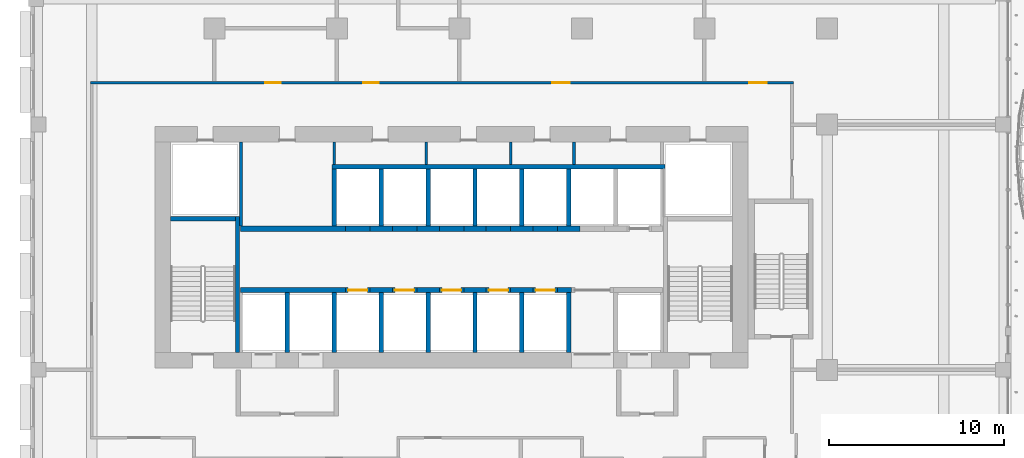
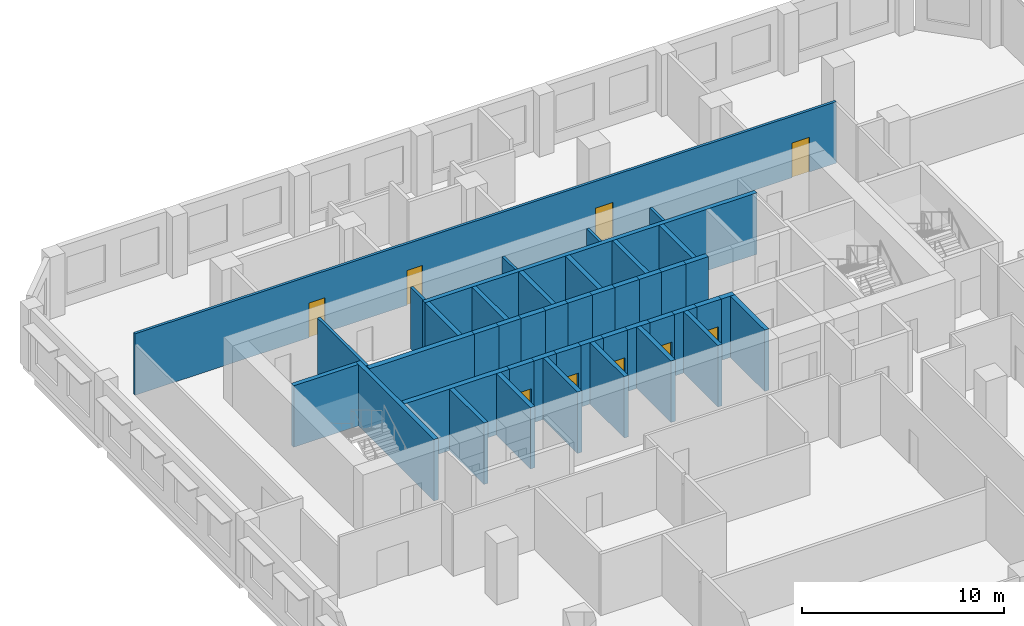
# One storey, part 13 of 26: 44 walls, 9 doors, 9 openings.
"""IFC4 building model written with IfcOpenShell, lengths in metres."""

from ifc_helpers import new_model, si_unit, direction, frame, frame_2d, origin, place, context, subcontext, project, spatial, rectangle, extrude, source, transform, mapped, material, layer, layer_set, type_object, element, fill, save


model = new_model("IFC4")

# Units and contexts
model_context = context("Model", 3, precision=1e-05, world=origin(), true_north=direction((0.0, 1.0)))
body_context = subcontext(model_context, "Body", "Model", "MODEL_VIEW")
ifc_project = project(units=[si_unit("LENGTHUNIT", "METRE"), si_unit("AREAUNIT", "SQUARE_METRE"), si_unit("VOLUMEUNIT", "CUBIC_METRE"), si_unit("PLANEANGLEUNIT", "RADIAN"), si_unit("MASSUNIT", "GRAM", prefix="KILO")], contexts=[model_context])

# Site, building, storey
site_placement = place(None, origin())
site = spatial("IfcSite", under=ifc_project, at=site_placement, CompositionType="ELEMENT")
building_placement = place(site_placement, origin())
building = spatial("IfcBuilding", under=site, at=building_placement, Name="Kilnfold Tower and Market Hall", CompositionType="ELEMENT")
storey_placement = place(building_placement, frame((0.0, 0.0, 108.60009765625)))
storey = spatial("IfcBuildingStorey", under=building, at=storey_placement, Name="L25", CompositionType="ELEMENT", Elevation=108.60009765625)

# Wall, openings, doors
ifc_material_1 = material(Name="Gypsum board on steel studs", Category="steel")
ifc_layer_1 = layer(ifc_material_1, 0.14990234375)
ifc_layer_set_1 = layer_set([ifc_layer_1], Name="Gypsum board on steel studs")
wall_type_1 = type_object("IfcWallType", Name="WALL CORRIDOR 150", PredefinedType="PARTITIONING", material=ifc_layer_set_1)
wall_1_placement = place(storey_placement, frame((-19.574951171875, 24.39990234375, 0.0), z_axis=(0.0, 0.0, 1.0), x_axis=(1.0, 0.0, 0.0)))
wall_1 = element("IfcWall", 1, at=wall_1_placement, inside=storey, type_object=wall_type_1, Name="Partition LY16.35", PredefinedType="PARTITIONING", context=body_context, shape_type="SweptSolid", body=[
    extrude(rectangle(XDim=40.14990234375, YDim=0.14990234375, at=frame_2d((20.074951171875, 0.0))), origin(), (0.0, 0.0, 1.0), 3.719970703125),
])
opening_1_placement = place(wall_1_placement, frame((9.97412109375, 0.0, 0.0)))
opening_1 = element("IfcOpeningElement", 2, at=opening_1_placement, cuts=wall_1, Name="Opening D2", PredefinedType="OPENING", context=body_context, shape_type="SweptSolid", body=[
    extrude(rectangle(XDim=0.89990234375, YDim=2.10009765625, at=frame_2d((0.449951171875, 1.050048828125))), frame((0.0, 0.0849609375, 0.0), z_axis=(0.0, -1.0, 0.0), x_axis=(1.0, 0.0, 0.0)), (0.0, 0.0, 1.0), 0.169921875),
])
opening_2_placement = place(wall_1_placement, frame((15.570068359375, 0.0, 0.0)))
opening_2 = element("IfcOpeningElement", 3, at=opening_2_placement, cuts=wall_1, Name="Opening D3", PredefinedType="OPENING", context=body_context, shape_type="SweptSolid", body=[
    extrude(rectangle(XDim=0.89990234375, YDim=2.10009765625, at=frame_2d((0.449951171875, 1.050048828125))), frame((0.0, 0.0849609375, 0.0), z_axis=(0.0, -1.0, 0.0), x_axis=(1.0, 0.0, 0.0)), (0.0, 0.0, 1.0), 0.169921875),
])
opening_3_placement = place(wall_1_placement, frame((26.373046875, 0.0, 0.0)))
opening_3 = element("IfcOpeningElement", 4, at=opening_3_placement, cuts=wall_1, Name="Opening D1", PredefinedType="OPENING", context=body_context, shape_type="SweptSolid", body=[
    extrude(rectangle(XDim=1.0, YDim=2.10009765625, at=frame_2d((0.5, 1.050048828125))), frame((0.0, 0.0849609375, 0.0), z_axis=(0.0, -1.0, 0.0), x_axis=(1.0, 0.0, 0.0)), (0.0, 0.0, 1.0), 0.169921875),
])
opening_4_placement = place(wall_1_placement, frame((37.618896484375, 0.0, 0.0)))
opening_4 = element("IfcOpeningElement", 5, at=opening_4_placement, cuts=wall_1, Name="Opening D1", PredefinedType="OPENING", context=body_context, shape_type="SweptSolid", body=[
    extrude(rectangle(XDim=1.0, YDim=2.10009765625, at=frame_2d((0.5, 1.050048828125))), frame((0.0, 0.0849609375, 0.0), z_axis=(0.0, -1.0, 0.0), x_axis=(1.0, 0.0, 0.0)), (0.0, 0.0, 1.0), 0.169921875),
])
ifc_material_2 = material(Name="Timber veneer door leaf in steel frame", Category="steel")
door_type_1 = type_object("IfcDoorType", Name="DOOR ENTRY 1000 X2100", OperationType="NOTDEFINED", PredefinedType="DOOR", material=ifc_material_2)
door_1_placement = place(opening_3_placement, origin())
door_1 = element("IfcDoor", 6, at=door_1_placement, inside=storey, type_object=door_type_1, Name="Door D1", OperationType="SINGLE_SWING_RIGHT", OverallHeight=2.10009765625, OverallWidth=1.0, PredefinedType="DOOR", context=body_context, shape_type="SweptSolid", body=[
    extrude(rectangle(XDim=1.0, YDim=2.10009765625, at=frame_2d((0.5, 1.050048828125))), frame((0.0, 0.02490234375, 0.0), z_axis=(0.0, -1.0, 0.0), x_axis=(1.0, 0.0, 0.0)), (0.0, 0.0, 1.0), 0.050048828125),
])
fill(opening_3, door_1)
door_2_placement = place(opening_4_placement, origin())
door_2 = element("IfcDoor", 7, at=door_2_placement, inside=storey, type_object=door_type_1, Name="Door D1", OperationType="SINGLE_SWING_RIGHT", OverallHeight=2.10009765625, OverallWidth=1.0, PredefinedType="DOOR", context=body_context, shape_type="SweptSolid", body=[
    extrude(rectangle(XDim=1.0, YDim=2.10009765625, at=frame_2d((0.5, 1.050048828125))), frame((0.0, 0.02490234375, 0.0), z_axis=(0.0, -1.0, 0.0), x_axis=(1.0, 0.0, 0.0)), (0.0, 0.0, 1.0), 0.050048828125),
])
fill(opening_4, door_2)
ifc_material_3 = material(Name="Timber veneer door leaf in steel frame", Category="steel")
door_type_2 = type_object("IfcDoorType", Name="DOOR ROOM 900 X2100", OperationType="NOTDEFINED", PredefinedType="DOOR", material=ifc_material_3)
door_3_placement = place(opening_1_placement, origin())
door_3 = element("IfcDoor", 8, at=door_3_placement, inside=storey, type_object=door_type_2, Name="Door D2", OperationType="SINGLE_SWING_LEFT", OverallHeight=2.10009765625, OverallWidth=0.89990234375, PredefinedType="DOOR", context=body_context, shape_type="SweptSolid", body=[
    extrude(rectangle(XDim=0.89990234375, YDim=2.10009765625, at=frame_2d((0.449951171875, 1.050048828125))), frame((0.0, 0.02490234375, 0.0), z_axis=(0.0, -1.0, 0.0), x_axis=(1.0, 0.0, 0.0)), (0.0, 0.0, 1.0), 0.050048828125),
])
fill(opening_1, door_3)
ifc_material_4 = material(Name="Timber veneer door leaf in steel frame", Category="steel")
door_type_3 = type_object("IfcDoorType", Name="DOOR WC 900 X2100", OperationType="NOTDEFINED", PredefinedType="DOOR", material=ifc_material_4)
door_4_placement = place(opening_2_placement, origin())
door_4 = element("IfcDoor", 9, at=door_4_placement, inside=storey, type_object=door_type_3, Name="Door D3", OperationType="SINGLE_SWING_LEFT", OverallHeight=2.10009765625, OverallWidth=0.89990234375, PredefinedType="DOOR", context=body_context, shape_type="SweptSolid", body=[
    extrude(rectangle(XDim=0.89990234375, YDim=2.10009765625, at=frame_2d((0.449951171875, 1.050048828125))), frame((0.0, 0.02490234375, 0.0), z_axis=(0.0, -1.0, 0.0), x_axis=(1.0, 0.0, 0.0)), (0.0, 0.0, 1.0), 0.050048828125),
])
fill(opening_2, door_4)

# Walls
ifc_material_5 = material(Name="Concrete C70", Category="concrete")
ifc_layer_2 = layer(ifc_material_5, 0.25)
ifc_layer_set_2 = layer_set([ifc_layer_2], Name="Concrete C70")
wall_type_2 = type_object("IfcWallType", Name="CORE WALL 250 C70", PredefinedType="SHEAR", material=ifc_layer_set_2)
shared_shape_1 = source(origin(), body_context, "Body", "SweptSolid", [
    extrude(rectangle(XDim=7.75, YDim=0.25, at=frame_2d((3.875, 0.0))), origin(), (0.0, 0.0, 1.0), 3.719970703125),
])
wall_2_placement = place(storey_placement, frame((-11.175048828125, 9.0, 0.0), z_axis=(0.0, 0.0, 1.0), x_axis=(0.0, 1.0, 0.0)))
element("IfcWall", 10, at=wall_2_placement, inside=storey, type_object=wall_type_2, Name="Stair enclosure ST1", PredefinedType="SHEAR", context=body_context, shape_type="MappedRepresentation", body=[
    mapped(shared_shape_1, transform((0.0, 0.0, 0.0))),
])
shared_shape_2 = source(origin(), body_context, "Body", "SweptSolid", [
    extrude(rectangle(XDim=3.699951171875, YDim=0.25, at=frame_2d((1.85009765625, 0.0))), origin(), (0.0, 0.0, 1.0), 3.719970703125),
])
wall_3_placement = place(storey_placement, frame((-15.0, 16.625, 0.0), z_axis=(0.0, 0.0, 1.0), x_axis=(1.0, 0.0, 0.0)))
element("IfcWall", 11, at=wall_3_placement, inside=storey, type_object=wall_type_2, Name="Stair enclosure ST1", PredefinedType="SHEAR", context=body_context, shape_type="MappedRepresentation", body=[
    mapped(shared_shape_2, transform((0.0, 0.0, 0.0))),
])
ifc_material_6 = material(Name="Concrete C70", Category="concrete")
ifc_layer_3 = layer(ifc_material_6, 0.300048828125)
ifc_layer_set_3 = layer_set([ifc_layer_3], Name="Concrete C70")
wall_type_3 = type_object("IfcWallType", Name="CORE WALL 300 C70", PredefinedType="SHEAR", material=ifc_layer_set_3)
shared_shape_3 = source(origin(), body_context, "Body", "SweptSolid", [
    extrude(rectangle(XDim=6.0, YDim=0.300048828125, at=frame_2d((3.0, 0.0))), origin(), (0.0, 0.0, 1.0), 3.719970703125),
])
for number, where, z_axis, x_axis, name in (
    (12, (-11.010009765625, 12.550048828125, 0.0), (0.0, 0.0, 1.0), (1.0, 0.0, 0.0), "Core spine wall"),
    (13, (-11.010009765625, 16.050048828125, 0.0), (0.0, 0.0, 1.0), (1.0, 0.0, 0.0), "Core spine wall"),
):
    element("IfcWall", number, at=place(storey_placement, frame(where, z_axis=z_axis, x_axis=x_axis)), inside=storey, type_object=wall_type_3, Name=name, PredefinedType="SHEAR", context=body_context, shape_type="MappedRepresentation", body=[
        mapped(shared_shape_3, transform((0.0, 0.0, 0.0))),
    ])
shared_shape_4 = source(origin(), body_context, "Body", "SweptSolid", [
    extrude(rectangle(XDim=1.280029296875, YDim=0.300048828125, at=frame_2d((0.64013671875, 0.0))), origin(), (0.0, 0.0, 1.0), 3.719970703125),
])
for number, where, z_axis, x_axis, name in (
    (14, (-3.610107421875, 12.550048828125, 0.0), (0.0, 0.0, 1.0), (1.0, 0.0, 0.0), "Core spine wall"),
    (15, (-0.929931640625, 12.550048828125, 0.0), (0.0, 0.0, 1.0), (1.0, 0.0, 0.0), "Core spine wall"),
    (16, (1.75, 12.550048828125, 0.0), (0.0, 0.0, 1.0), (1.0, 0.0, 0.0), "Core spine wall"),
    (17, (4.429931640625, 12.550048828125, 0.0), (0.0, 0.0, 1.0), (1.0, 0.0, 0.0), "Core spine wall"),
    (18, (-3.610107421875, 16.050048828125, 0.0), (0.0, 0.0, 1.0), (1.0, 0.0, 0.0), "Core spine wall"),
    (19, (-0.929931640625, 16.050048828125, 0.0), (0.0, 0.0, 1.0), (1.0, 0.0, 0.0), "Core spine wall"),
    (20, (1.75, 16.050048828125, 0.0), (0.0, 0.0, 1.0), (1.0, 0.0, 0.0), "Core spine wall"),
    (21, (4.429931640625, 16.050048828125, 0.0), (0.0, 0.0, 1.0), (1.0, 0.0, 0.0), "Core spine wall"),
):
    element("IfcWall", number, at=place(storey_placement, frame(where, z_axis=z_axis, x_axis=x_axis)), inside=storey, type_object=wall_type_3, Name=name, PredefinedType="SHEAR", context=body_context, shape_type="MappedRepresentation", body=[
        mapped(shared_shape_4, transform((0.0, 0.0, 0.0))),
    ])
shared_shape_5 = source(origin(), body_context, "Body", "SweptSolid", [
    extrude(rectangle(XDim=0.77978515625, YDim=0.300048828125, at=frame_2d((0.389892578125, 0.0))), origin(), (0.0, 0.0, 1.0), 3.719970703125),
])
wall_4_placement = place(storey_placement, frame((7.110107421875, 12.550048828125, 0.0), z_axis=(0.0, 0.0, 1.0), x_axis=(1.0, 0.0, 0.0)))
element("IfcWall", 22, at=wall_4_placement, inside=storey, type_object=wall_type_3, Name="Core spine wall", PredefinedType="SHEAR", context=body_context, shape_type="MappedRepresentation", body=[
    mapped(shared_shape_5, transform((0.0, 0.0, 0.0))),
])
shared_shape_6 = source(origin(), body_context, "Body", "SweptSolid", [
    extrude(rectangle(XDim=1.27978515625, YDim=0.300048828125, at=frame_2d((0.639892578125, 0.0))), origin(), (0.0, 0.0, 1.0), 3.719970703125),
])
wall_5_placement = place(storey_placement, frame((7.110107421875, 16.050048828125, 0.0), z_axis=(0.0, 0.0, 1.0), x_axis=(1.0, 0.0, 0.0)))
element("IfcWall", 23, at=wall_5_placement, inside=storey, type_object=wall_type_3, Name="Core spine wall", PredefinedType="SHEAR", context=body_context, shape_type="MappedRepresentation", body=[
    mapped(shared_shape_6, transform((0.0, 0.0, 0.0))),
])

# Wall, opening, door
ifc_material_7 = material(Name="Gypsum shaft wall system")
ifc_layer_4 = layer(ifc_material_7, 0.300048828125)
ifc_layer_set_4 = layer_set([ifc_layer_4], Name="Gypsum shaft wall system")
wall_type_4 = type_object("IfcWallType", Name="SHAFT WALL 300", PredefinedType="PARTITIONING", material=ifc_layer_set_4)
shared_shape_7 = source(origin(), body_context, "Body", "SweptSolid", [
    extrude(rectangle(XDim=1.39990234375, YDim=0.300048828125, at=frame_2d((0.699951171875, 0.0))), origin(), (0.0, 0.0, 1.0), 3.719970703125),
])
wall_6_placement = place(storey_placement, frame((-5.010009765625, 12.550048828125, 0.0), z_axis=(0.0, 0.0, 1.0), x_axis=(1.0, 0.0, 0.0)))
wall_6 = element("IfcWall", 24, at=wall_6_placement, inside=storey, type_object=wall_type_4, Name="Lift shaft front wall", PredefinedType="PARTITIONING", context=body_context, shape_type="MappedRepresentation", body=[
    mapped(shared_shape_7, transform((0.0, 0.0, 0.0))),
])
opening_5_placement = place(wall_6_placement, frame((0.14990234375, 0.0, 0.0)))
opening_5 = element("IfcOpeningElement", 25, at=opening_5_placement, cuts=wall_6, Name="Opening LD2", PredefinedType="OPENING", context=body_context, shape_type="SweptSolid", body=[
    extrude(rectangle(XDim=1.10009765625, YDim=2.10009765625, at=frame_2d((0.550048828125, 1.050048828125))), frame((0.0, 0.16015625, 0.0), z_axis=(0.0, -1.0, 0.0), x_axis=(1.0, 0.0, 0.0)), (0.0, 0.0, 1.0), 0.320068359375),
])
ifc_material_8 = material(Name="Steel door set with fire-resisting leaf", Category="steel")
door_type_4 = type_object("IfcDoorType", Name="LANDING DOOR 1100X2100", OperationType="NOTDEFINED", PredefinedType="DOOR", material=ifc_material_8)
door_5_placement = place(opening_5_placement, origin())
door_5 = element("IfcDoor", 26, at=door_5_placement, inside=storey, type_object=door_type_4, Name="Landing door LR1", OperationType="DOUBLE_DOOR_SLIDING", OverallHeight=2.10009765625, OverallWidth=1.10009765625, PredefinedType="DOOR", context=body_context, shape_type="SweptSolid", body=[
    extrude(rectangle(XDim=1.10009765625, YDim=2.10009765625, at=frame_2d((0.550048828125, 1.050048828125))), frame((0.0, 0.02490234375, 0.0), z_axis=(0.0, -1.0, 0.0), x_axis=(1.0, 0.0, 0.0)), (0.0, 0.0, 1.0), 0.050048828125),
])
fill(opening_5, door_5)

wall_7_placement = place(storey_placement, frame((0.35009765625, 12.550048828125, 0.0), z_axis=(0.0, 0.0, 1.0), x_axis=(1.0, 0.0, 0.0)))
wall_7 = element("IfcWall", 27, at=wall_7_placement, inside=storey, type_object=wall_type_4, Name="Lift shaft front wall", PredefinedType="PARTITIONING", context=body_context, shape_type="MappedRepresentation", body=[
    mapped(shared_shape_7, transform((0.0, 0.0, 0.0))),
])
opening_6_placement = place(wall_7_placement, frame((0.14990234375, 0.0, 0.0)))
opening_6 = element("IfcOpeningElement", 28, at=opening_6_placement, cuts=wall_7, Name="Opening LD2", PredefinedType="OPENING", context=body_context, shape_type="SweptSolid", body=[
    extrude(rectangle(XDim=1.10009765625, YDim=2.10009765625, at=frame_2d((0.550048828125, 1.050048828125))), frame((0.0, 0.16015625, 0.0), z_axis=(0.0, -1.0, 0.0), x_axis=(1.0, 0.0, 0.0)), (0.0, 0.0, 1.0), 0.320068359375),
])
door_6_placement = place(opening_6_placement, origin())
door_6 = element("IfcDoor", 29, at=door_6_placement, inside=storey, type_object=door_type_4, Name="Landing door LR3", OperationType="DOUBLE_DOOR_SLIDING", OverallHeight=2.10009765625, OverallWidth=1.10009765625, PredefinedType="DOOR", context=body_context, shape_type="SweptSolid", body=[
    extrude(rectangle(XDim=1.10009765625, YDim=2.10009765625, at=frame_2d((0.550048828125, 1.050048828125))), frame((0.0, 0.02490234375, 0.0), z_axis=(0.0, -1.0, 0.0), x_axis=(1.0, 0.0, 0.0)), (0.0, 0.0, 1.0), 0.050048828125),
])
fill(opening_6, door_6)

wall_8_placement = place(storey_placement, frame((3.030029296875, 12.550048828125, 0.0), z_axis=(0.0, 0.0, 1.0), x_axis=(1.0, 0.0, 0.0)))
wall_8 = element("IfcWall", 30, at=wall_8_placement, inside=storey, type_object=wall_type_4, Name="Lift shaft front wall", PredefinedType="PARTITIONING", context=body_context, shape_type="MappedRepresentation", body=[
    mapped(shared_shape_7, transform((0.0, 0.0, 0.0))),
])
opening_7_placement = place(wall_8_placement, frame((0.14990234375, 0.0, 0.0)))
opening_7 = element("IfcOpeningElement", 31, at=opening_7_placement, cuts=wall_8, Name="Opening LD2", PredefinedType="OPENING", context=body_context, shape_type="SweptSolid", body=[
    extrude(rectangle(XDim=1.10009765625, YDim=2.10009765625, at=frame_2d((0.550048828125, 1.050048828125))), frame((0.0, 0.16015625, 0.0), z_axis=(0.0, -1.0, 0.0), x_axis=(1.0, 0.0, 0.0)), (0.0, 0.0, 1.0), 0.320068359375),
])
door_7_placement = place(opening_7_placement, origin())
door_7 = element("IfcDoor", 32, at=door_7_placement, inside=storey, type_object=door_type_4, Name="Landing door LR4", OperationType="DOUBLE_DOOR_SLIDING", OverallHeight=2.10009765625, OverallWidth=1.10009765625, PredefinedType="DOOR", context=body_context, shape_type="SweptSolid", body=[
    extrude(rectangle(XDim=1.10009765625, YDim=2.10009765625, at=frame_2d((0.550048828125, 1.050048828125))), frame((0.0, 0.02490234375, 0.0), z_axis=(0.0, -1.0, 0.0), x_axis=(1.0, 0.0, 0.0)), (0.0, 0.0, 1.0), 0.050048828125),
])
fill(opening_7, door_7)

# Walls
for number, where, z_axis, x_axis, name in (
    (33, (-5.010009765625, 16.050048828125, 0.0), (0.0, 0.0, 1.0), (1.0, 0.0, 0.0), "Lift shaft front wall"),
    (34, (0.35009765625, 16.050048828125, 0.0), (0.0, 0.0, 1.0), (1.0, 0.0, 0.0), "Lift shaft front wall"),
    (35, (3.030029296875, 16.050048828125, 0.0), (0.0, 0.0, 1.0), (1.0, 0.0, 0.0), "Lift shaft front wall"),
):
    element("IfcWall", number, at=place(storey_placement, frame(where, z_axis=z_axis, x_axis=x_axis)), inside=storey, type_object=wall_type_4, Name=name, PredefinedType="PARTITIONING", context=body_context, shape_type="MappedRepresentation", body=[
        mapped(shared_shape_7, transform((0.0, 0.0, 0.0))),
    ])

# Wall, opening, door
shared_shape_8 = source(origin(), body_context, "Body", "SweptSolid", [
    extrude(rectangle(XDim=1.400146484375, YDim=0.300048828125, at=frame_2d((0.7001953125, 0.0))), origin(), (0.0, 0.0, 1.0), 3.719970703125),
])
wall_9_placement = place(storey_placement, frame((-2.330078125, 12.550048828125, 0.0), z_axis=(0.0, 0.0, 1.0), x_axis=(1.0, 0.0, 0.0)))
wall_9 = element("IfcWall", 36, at=wall_9_placement, inside=storey, type_object=wall_type_4, Name="Lift shaft front wall", PredefinedType="PARTITIONING", context=body_context, shape_type="MappedRepresentation", body=[
    mapped(shared_shape_8, transform((0.0, 0.0, 0.0))),
])
opening_8_placement = place(wall_9_placement, frame((0.14990234375, 0.0, 0.0)))
opening_8 = element("IfcOpeningElement", 37, at=opening_8_placement, cuts=wall_9, Name="Opening LD2", PredefinedType="OPENING", context=body_context, shape_type="SweptSolid", body=[
    extrude(rectangle(XDim=1.10009765625, YDim=2.10009765625, at=frame_2d((0.550048828125, 1.050048828125))), frame((0.0, 0.16015625, 0.0), z_axis=(0.0, -1.0, 0.0), x_axis=(1.0, 0.0, 0.0)), (0.0, 0.0, 1.0), 0.320068359375),
])
door_8_placement = place(opening_8_placement, origin())
door_8 = element("IfcDoor", 38, at=door_8_placement, inside=storey, type_object=door_type_4, Name="Landing door LR2", OperationType="DOUBLE_DOOR_SLIDING", OverallHeight=2.10009765625, OverallWidth=1.10009765625, PredefinedType="DOOR", context=body_context, shape_type="SweptSolid", body=[
    extrude(rectangle(XDim=1.10009765625, YDim=2.10009765625, at=frame_2d((0.550048828125, 1.050048828125))), frame((0.0, 0.02490234375, 0.0), z_axis=(0.0, -1.0, 0.0), x_axis=(1.0, 0.0, 0.0)), (0.0, 0.0, 1.0), 0.050048828125),
])
fill(opening_8, door_8)

wall_10_placement = place(storey_placement, frame((5.7099609375, 12.550048828125, 0.0), z_axis=(0.0, 0.0, 1.0), x_axis=(1.0, 0.0, 0.0)))
wall_10 = element("IfcWall", 39, at=wall_10_placement, inside=storey, type_object=wall_type_4, Name="Lift shaft front wall", PredefinedType="PARTITIONING", context=body_context, shape_type="MappedRepresentation", body=[
    mapped(shared_shape_8, transform((0.0, 0.0, 0.0))),
])
opening_9_placement = place(wall_10_placement, frame((0.14990234375, 0.0, 0.0)))
opening_9 = element("IfcOpeningElement", 40, at=opening_9_placement, cuts=wall_10, Name="Opening LD2", PredefinedType="OPENING", context=body_context, shape_type="SweptSolid", body=[
    extrude(rectangle(XDim=1.10009765625, YDim=2.10009765625, at=frame_2d((0.550048828125, 1.050048828125))), frame((0.0, 0.16015625, 0.0), z_axis=(0.0, -1.0, 0.0), x_axis=(1.0, 0.0, 0.0)), (0.0, 0.0, 1.0), 0.320068359375),
])
door_9_placement = place(opening_9_placement, origin())
door_9 = element("IfcDoor", 41, at=door_9_placement, inside=storey, type_object=door_type_4, Name="Landing door LR5", OperationType="DOUBLE_DOOR_SLIDING", OverallHeight=2.10009765625, OverallWidth=1.10009765625, PredefinedType="DOOR", context=body_context, shape_type="SweptSolid", body=[
    extrude(rectangle(XDim=1.10009765625, YDim=2.10009765625, at=frame_2d((0.550048828125, 1.050048828125))), frame((0.0, 0.02490234375, 0.0), z_axis=(0.0, -1.0, 0.0), x_axis=(1.0, 0.0, 0.0)), (0.0, 0.0, 1.0), 0.050048828125),
])
fill(opening_9, door_9)

# Walls
for number, where, z_axis, x_axis, name in (
    (42, (-2.330078125, 16.050048828125, 0.0), (0.0, 0.0, 1.0), (1.0, 0.0, 0.0), "Lift shaft front wall"),
    (43, (5.7099609375, 16.050048828125, 0.0), (0.0, 0.0, 1.0), (1.0, 0.0, 0.0), "Lift shaft front wall"),
):
    element("IfcWall", number, at=place(storey_placement, frame(where, z_axis=z_axis, x_axis=x_axis)), inside=storey, type_object=wall_type_4, Name=name, PredefinedType="PARTITIONING", context=body_context, shape_type="MappedRepresentation", body=[
        mapped(shared_shape_8, transform((0.0, 0.0, 0.0))),
    ])
ifc_material_9 = material(Name="Gypsum shaft wall system")
ifc_layer_5 = layer(ifc_material_9, 0.25)
ifc_layer_set_5 = layer_set([ifc_layer_5], Name="Gypsum shaft wall system")
wall_type_5 = type_object("IfcWallType", Name="SHAFT WALL 250", PredefinedType="PARTITIONING", material=ifc_layer_set_5)
shared_shape_9 = source(origin(), body_context, "Body", "SweptSolid", [
    extrude(rectangle(XDim=3.275146484375, YDim=0.25, at=frame_2d((1.6376953125, 0.0))), origin(), (0.0, 0.0, 1.0), 3.719970703125),
])
for number, where, z_axis, x_axis, name in (
    (44, (2.389892578125, 16.199951171875, 0.0), (0.0, 0.0, 1.0), (0.0, 1.0, 0.0), "Lift shaft wall"),
    (45, (5.070068359375, 16.199951171875, 0.0), (0.0, 0.0, 1.0), (0.0, 1.0, 0.0), "Lift shaft wall"),
    (46, (7.75, 16.199951171875, 0.0), (0.0, 0.0, 1.0), (0.0, 1.0, 0.0), "Lift shaft wall"),
    (47, (-0.2900390625, 16.199951171875, 0.0), (0.0, 0.0, 1.0), (0.0, 1.0, 0.0), "Lift shaft wall"),
    (48, (-2.969970703125, 16.199951171875, 0.0), (0.0, 0.0, 1.0), (0.0, 1.0, 0.0), "Lift shaft wall"),
    (49, (-5.64990234375, 16.199951171875, 0.0), (0.0, 0.0, 1.0), (0.0, 1.0, 0.0), "Lift shaft wall"),
):
    element("IfcWall", number, at=place(storey_placement, frame(where, z_axis=z_axis, x_axis=x_axis)), inside=storey, type_object=wall_type_5, Name=name, PredefinedType="PARTITIONING", context=body_context, shape_type="MappedRepresentation", body=[
        mapped(shared_shape_9, transform((0.0, 0.0, 0.0))),
    ])
shared_shape_10 = source(origin(), body_context, "Body", "SweptSolid", [
    extrude(rectangle(XDim=3.39990234375, YDim=0.25, at=frame_2d((1.699951171875, 0.0))), origin(), (0.0, 0.0, 1.0), 3.719970703125),
])
for number, where, z_axis, x_axis, name in (
    (50, (2.389892578125, 9.0, 0.0), (0.0, 0.0, 1.0), (0.0, 1.0, 0.0), "Lift shaft wall"),
    (51, (5.070068359375, 9.0, 0.0), (0.0, 0.0, 1.0), (0.0, 1.0, 0.0), "Lift shaft wall"),
    (52, (7.75, 9.0, 0.0), (0.0, 0.0, 1.0), (0.0, 1.0, 0.0), "Lift shaft wall"),
    (53, (-0.2900390625, 9.0, 0.0), (0.0, 0.0, 1.0), (0.0, 1.0, 0.0), "Lift shaft wall"),
    (54, (-2.969970703125, 9.0, 0.0), (0.0, 0.0, 1.0), (0.0, 1.0, 0.0), "Lift shaft wall"),
    (55, (-5.64990234375, 9.0, 0.0), (0.0, 0.0, 1.0), (0.0, 1.0, 0.0), "Lift shaft wall"),
    (56, (-8.330078125, 9.0, 0.0), (0.0, 0.0, 1.0), (0.0, 1.0, 0.0), "Lift shaft wall"),
):
    element("IfcWall", number, at=place(storey_placement, frame(where, z_axis=z_axis, x_axis=x_axis)), inside=storey, type_object=wall_type_5, Name=name, PredefinedType="PARTITIONING", context=body_context, shape_type="MappedRepresentation", body=[
        mapped(shared_shape_10, transform((0.0, 0.0, 0.0))),
    ])
ifc_material_10 = material(Name="Gypsum shaft wall system")
ifc_layer_6 = layer(ifc_material_10, 0.14990234375)
ifc_layer_set_6 = layer_set([ifc_layer_6], Name="Gypsum shaft wall system")
wall_type_6 = type_object("IfcWallType", Name="ROOM WALL 150", PredefinedType="PARTITIONING", material=ifc_layer_set_6)
shared_shape_11 = source(origin(), body_context, "Body", "SweptSolid", [
    extrude(rectangle(XDim=1.27490234375, YDim=0.14990234375, at=frame_2d((0.637451171875, 0.0))), origin(), (0.0, 0.0, 1.0), 3.719970703125),
])
for number, where, z_axis, x_axis, name in (
    (57, (-5.64990234375, 19.72509765625, 0.0), (0.0, 0.0, 1.0), (0.0, 1.0, 0.0), "Core room wall"),
    (58, (-0.397216796875, 19.72509765625, 0.0), (0.0, 0.0, 1.0), (0.0, 1.0, 0.0), "Core room wall"),
    (59, (4.4267578125, 19.72509765625, 0.0), (0.0, 0.0, 1.0), (0.0, 1.0, 0.0), "Core room wall"),
    (60, (8.044921875, 19.72509765625, 0.0), (0.0, 0.0, 1.0), (0.0, 1.0, 0.0), "Core room wall"),
):
    element("IfcWall", number, at=place(storey_placement, frame(where, z_axis=z_axis, x_axis=x_axis)), inside=storey, type_object=wall_type_6, Name=name, PredefinedType="PARTITIONING", context=body_context, shape_type="MappedRepresentation", body=[
        mapped(shared_shape_11, transform((0.0, 0.0, 0.0))),
    ])
shared_shape_12 = source(origin(), body_context, "Body", "SweptSolid", [
    extrude(rectangle(XDim=19.010009765625, YDim=0.25, at=frame_2d((9.5048828125, 0.0))), origin(), (0.0, 0.0, 1.0), 3.719970703125),
])
wall_11_placement = place(storey_placement, frame((-5.77490234375, 19.60009765625, 0.0), z_axis=(0.0, 0.0, 1.0), x_axis=(1.0, 0.0, 0.0)))
element("IfcWall", 61, at=wall_11_placement, inside=storey, type_object=wall_type_5, Name="Lift shaft wall", PredefinedType="PARTITIONING", context=body_context, shape_type="MappedRepresentation", body=[
    mapped(shared_shape_12, transform((0.0, 0.0, 0.0))),
])
ifc_material_11 = material(Name="Gypsum shaft wall system")
ifc_layer_7 = layer(ifc_material_11, 0.1650390625)
ifc_layer_set_7 = layer_set([ifc_layer_7], Name="Gypsum shaft wall system")
wall_type_7 = type_object("IfcWallType", Name="SHAFT WALL 165", PredefinedType="PARTITIONING", material=ifc_layer_set_7)
shared_shape_13 = source(origin(), body_context, "Body", "SweptSolid", [
    extrude(rectangle(XDim=4.800048828125, YDim=0.1650390625, at=frame_2d((2.39990234375, 0.0))), origin(), (0.0, 0.0, 1.0), 3.719970703125),
])
wall_12_placement = place(storey_placement, frame((-10.967529296875, 16.199951171875, 0.0), z_axis=(0.0, 0.0, 1.0), x_axis=(0.0, 1.0, 0.0)))
element("IfcWall", 62, at=wall_12_placement, inside=storey, type_object=wall_type_7, Name="Lift shaft wall", PredefinedType="PARTITIONING", context=body_context, shape_type="MappedRepresentation", body=[
    mapped(shared_shape_13, transform((0.0, 0.0, 0.0))),
])

save(model, "model.ifc")
